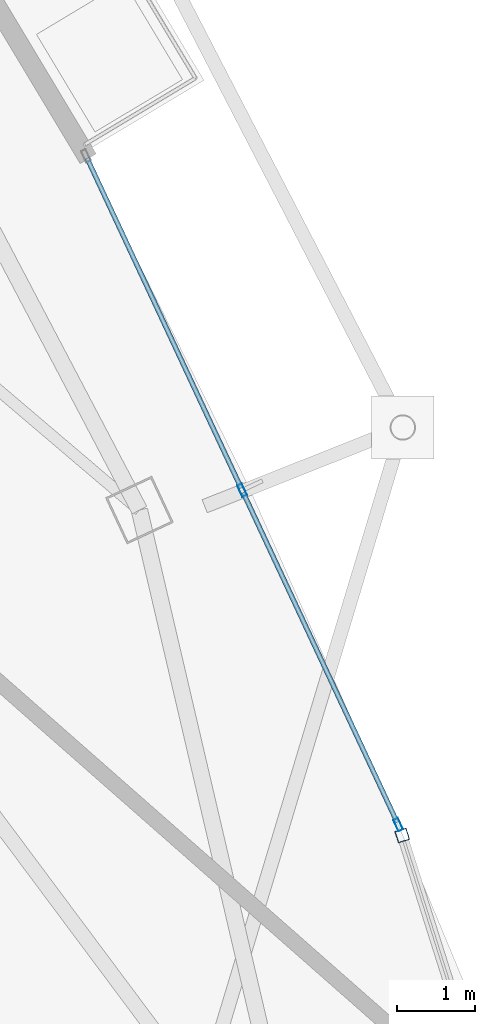
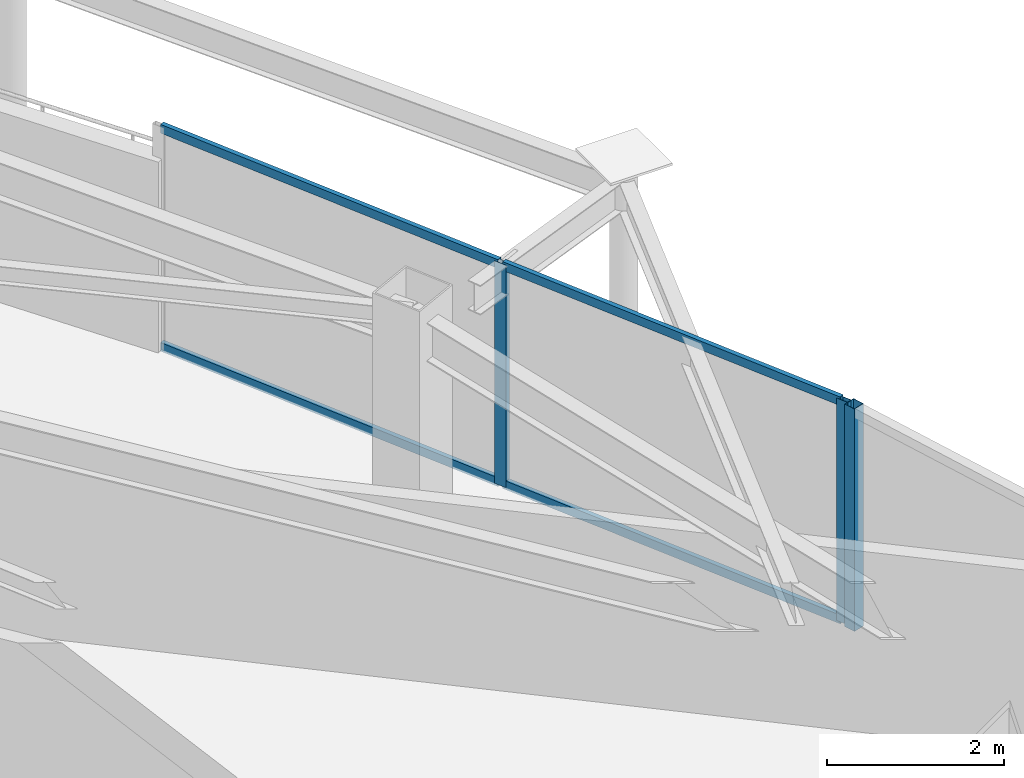
# One storey, part 16 of 28: 7 members, 2 elements without a shape of their own.
"""IFC4 building model written with IfcOpenShell, lengths in metres."""

from ifc_helpers import new_model, si_unit, direction, frame, origin, origin_2d, place, context, subcontext, project, spatial, hollow_rectangle, extrude, material, layer, layer_set, material_profile, profile_set, type_object, element, aggregate, save


model = new_model("IFC4")

# Units and contexts
model_context = context("Model", 3, precision=1e-05, world=origin(), true_north=direction((0.0, 1.0)))
body_context = subcontext(model_context, "Body", "Model", "MODEL_VIEW")
ifc_project = project(units=[si_unit("LENGTHUNIT", "METRE"), si_unit("AREAUNIT", "SQUARE_METRE"), si_unit("VOLUMEUNIT", "CUBIC_METRE"), si_unit("PLANEANGLEUNIT", "RADIAN"), si_unit("MASSUNIT", "GRAM", prefix="KILO")], contexts=[model_context])

# Site, building, storey
site_placement = place(None, origin())
site = spatial("IfcSite", under=ifc_project, at=site_placement, CompositionType="ELEMENT")
building_placement = place(site_placement, origin())
building = spatial("IfcBuilding", under=site, at=building_placement, Name="Orvanel Arch Residences", CompositionType="ELEMENT")
storey_placement = place(building_placement, frame((0.0, 0.0, 266.75)))
storey = spatial("IfcBuildingStorey", under=building, at=storey_placement, Name="L76", CompositionType="ELEMENT", Elevation=266.75)

# Curtain wall, member
ifc_material = material(Name="Bronze-anodised aluminium AA6063-T6", Category="aluminium")
ifc_layer_1 = layer(ifc_material, 0.18994140625)
ifc_layer_set_1 = layer_set([ifc_layer_1], Name="Bronze-anodised aluminium AA6063-T6")
curtain_wall_type_1 = type_object("IfcCurtainWallType", Name="CW5-CRN-SYS", PredefinedType="NOTDEFINED", material=ifc_layer_set_1)
curtain_wall_1_placement = place(storey_placement, origin())
curtain_wall_1 = element("IfcCurtainWall", 1, at=curtain_wall_1_placement, inside=storey, type_object=curtain_wall_type_1, Name="L76 CW5-CRN-SYS Unitised Curtain Wall", PredefinedType="NOTDEFINED")
ifc_material_profile_1 = material_profile(ifc_material, hollow_rectangle(XDim=0.14990234375, YDim=0.14990234375, WallThickness=0.0048828125, at=origin_2d()), Name="ALU150x150x5")
ifc_profile_set_1 = profile_set([ifc_material_profile_1], Name="Bronze-anodised aluminium AA6063-T6")
member_type_1 = type_object("IfcMemberType", Name="MUL-150x150", PredefinedType="MULLION", material=ifc_profile_set_1)
member_1_placement = place(storey_placement, frame((52.983642578125, 15.493408203125, 0.0), z_axis=(0.0, 0.0, 1.0), x_axis=(-0.953425503375, -0.30162859532, 0.0)))
member_1 = element("IfcMember", 2, at=member_1_placement, type_object=member_type_1, Name="CW-S5 mullion 2", PredefinedType="MULLION", context=body_context, shape_type="SweptSolid", body=[
    extrude(hollow_rectangle(XDim=0.14990234375, YDim=0.14990234375, WallThickness=0.0048828125, at=origin_2d()), origin(), (0.0, 0.0, 1.0), 3.06005859375),
])
aggregate(curtain_wall_1, [member_1])

# Curtain wall, members
ifc_layer_2 = layer(ifc_material, 0.175048828125)
ifc_layer_set_2 = layer_set([ifc_layer_2], Name="Bronze-anodised aluminium AA6063-T6")
curtain_wall_type_2 = type_object("IfcCurtainWallType", Name="CW4-HI-SYS", PredefinedType="NOTDEFINED", material=ifc_layer_set_2)
curtain_wall_2_placement = place(storey_placement, origin())
curtain_wall_2 = element("IfcCurtainWall", 3, at=curtain_wall_2_placement, inside=storey, type_object=curtain_wall_type_2, Name="L76 CW4-HI-SYS Unitised Curtain Wall", PredefinedType="NOTDEFINED")
ifc_material_profile_2 = material_profile(ifc_material, hollow_rectangle(XDim=0.06494140625, YDim=0.159912109375, WallThickness=0.00390625, at=origin_2d()), Name="ALU160x65x4")
ifc_profile_set_2 = profile_set([ifc_material_profile_2], Name="Bronze-anodised aluminium AA6063-T6")
member_type_2 = type_object("IfcMemberType", Name="MUL-160x65", PredefinedType="MULLION", material=ifc_profile_set_2)
member_2_placement = place(storey_placement, frame((52.933349609375, 15.63134765625, 0.0), z_axis=(0.0, 0.0, 1.0), x_axis=(-0.906094149888, -0.423076106083, 0.0)))
member_2 = element("IfcMember", 4, at=member_2_placement, type_object=member_type_2, Name="CW-S4 mullion 1", PredefinedType="MULLION", context=body_context, shape_type="SweptSolid", body=[
    extrude(hollow_rectangle(XDim=0.06494140625, YDim=0.159912109375, WallThickness=0.00390625, at=origin_2d()), origin(), (0.0, 0.0, 1.0), 3.06005859375),
])
member_3_placement = place(storey_placement, frame((50.9423828125, 19.89501953125, 0.0), z_axis=(0.0, 0.0, 1.0), x_axis=(-0.906094149888, -0.423076106083, 0.0)))
member_3 = element("IfcMember", 5, at=member_3_placement, type_object=member_type_2, Name="CW-S4 mullion 2", PredefinedType="MULLION", context=body_context, shape_type="SweptSolid", body=[
    extrude(hollow_rectangle(XDim=0.06494140625, YDim=0.159912109375, WallThickness=0.00390625, at=origin_2d()), origin(), (0.0, 0.0, 1.0), 3.06005859375),
])
ifc_material_profile_3 = material_profile(ifc_material, hollow_rectangle(XDim=0.06005859375, YDim=0.1201171875, WallThickness=0.00341796875, at=origin_2d()), Name="ALU120x60x3.5")
ifc_profile_set_3 = profile_set([ifc_material_profile_3], Name="Bronze-anodised aluminium AA6063-T6")
member_type_3 = type_object("IfcMemberType", Name="TRN-120x60", PredefinedType="USERDEFINED", material=ifc_profile_set_3)
member_4_placement = place(storey_placement, frame((52.91943359375, 15.660888671875, 0.030029296875), z_axis=(-0.423061154088, 0.906101131167, 0.0), x_axis=(-0.906101131167, -0.423061154088, 0.0)))
member_4 = element("IfcMember", 6, at=member_4_placement, type_object=member_type_3, Name="CW-S4 transom 1.1", ObjectType="TRANSOM", PredefinedType="USERDEFINED", context=body_context, shape_type="SweptSolid", body=[
    extrude(hollow_rectangle(XDim=0.06005859375, YDim=0.1201171875, WallThickness=0.00341796875, at=origin_2d()), origin(), (0.0, 0.0, 1.0), 4.640380859375),
])
member_5_placement = place(storey_placement, frame((52.91943359375, 15.660888671875, 3.030029296875), z_axis=(-0.423061154088, 0.906101131167, 0.0), x_axis=(-0.906101131167, -0.423061154088, 0.0)))
member_5 = element("IfcMember", 7, at=member_5_placement, type_object=member_type_3, Name="CW-S4 transom 1.2", ObjectType="TRANSOM", PredefinedType="USERDEFINED", context=body_context, shape_type="SweptSolid", body=[
    extrude(hollow_rectangle(XDim=0.06005859375, YDim=0.1201171875, WallThickness=0.00341796875, at=origin_2d()), origin(), (0.0, 0.0, 1.0), 4.640380859375),
])
member_6_placement = place(storey_placement, frame((50.9287109375, 19.924560546875, 0.030029296875), z_axis=(-0.423061154088, 0.906101131167, 0.0), x_axis=(-0.906101131167, -0.423061154088, 0.0)))
member_6 = element("IfcMember", 8, at=member_6_placement, type_object=member_type_3, Name="CW-S4 transom 2.1", ObjectType="TRANSOM", PredefinedType="USERDEFINED", context=body_context, shape_type="SweptSolid", body=[
    extrude(hollow_rectangle(XDim=0.06005859375, YDim=0.1201171875, WallThickness=0.00341796875, at=origin_2d()), origin(), (0.0, 0.0, 1.0), 4.640380859375),
])
member_7_placement = place(storey_placement, frame((50.9287109375, 19.924560546875, 3.030029296875), z_axis=(-0.423061154088, 0.906101131167, 0.0), x_axis=(-0.906101131167, -0.423061154088, 0.0)))
member_7 = element("IfcMember", 9, at=member_7_placement, type_object=member_type_3, Name="CW-S4 transom 2.2", ObjectType="TRANSOM", PredefinedType="USERDEFINED", context=body_context, shape_type="SweptSolid", body=[
    extrude(hollow_rectangle(XDim=0.06005859375, YDim=0.1201171875, WallThickness=0.00341796875, at=origin_2d()), origin(), (0.0, 0.0, 1.0), 4.640380859375),
])
aggregate(curtain_wall_2, [member_2, member_3, member_4, member_5, member_6, member_7])

save(model, "model.ifc")
